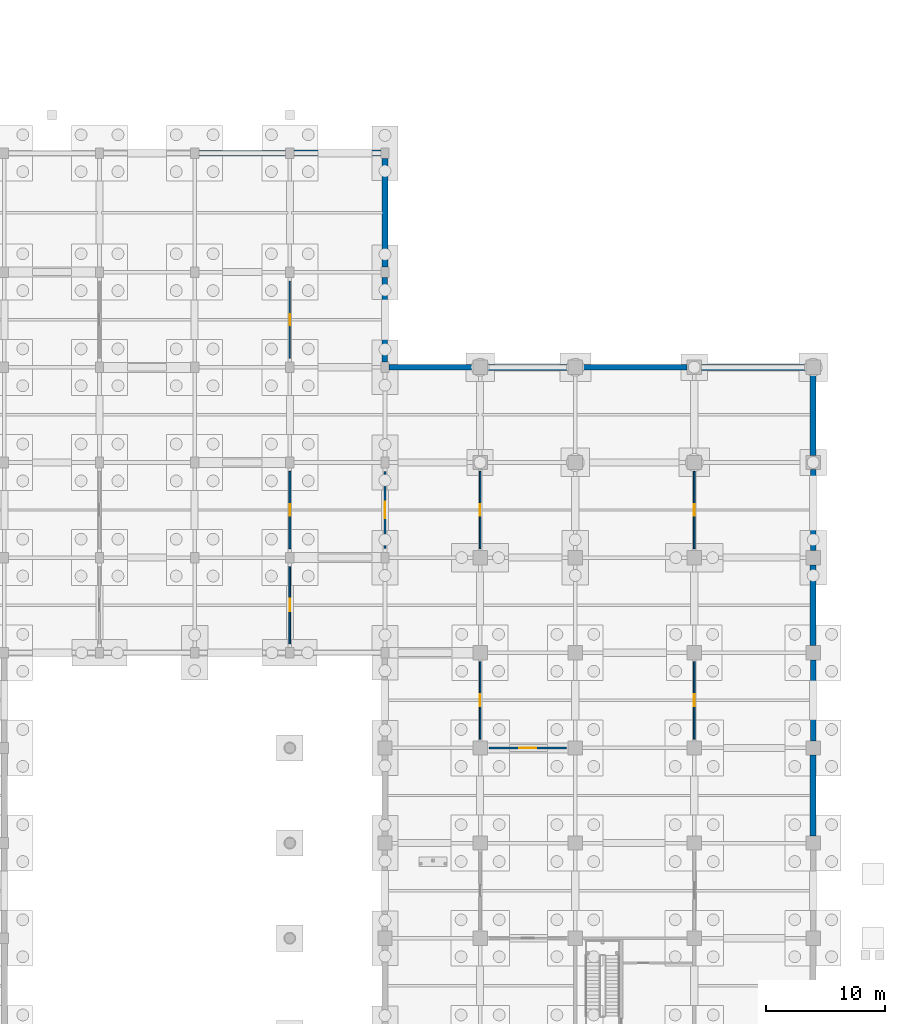
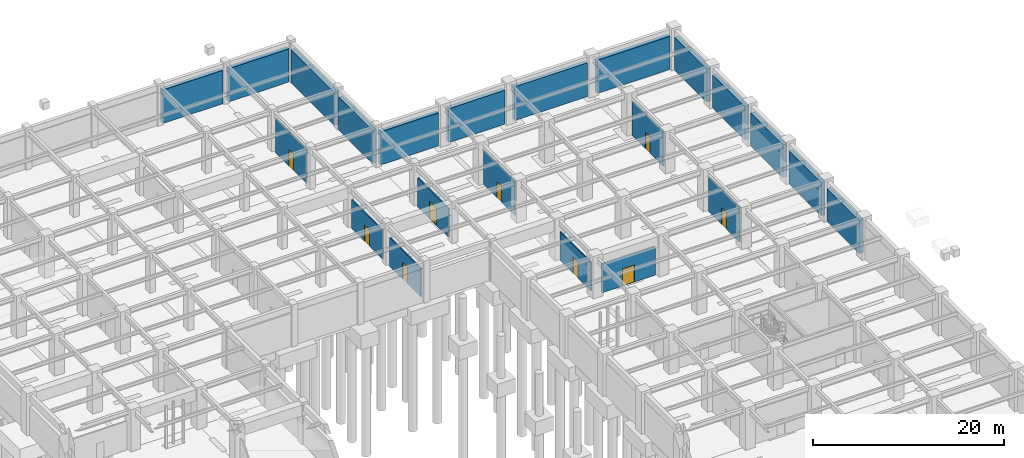
# One storey, part 84 of 97: 22 walls, 9 doors, 9 openings.
"""IFC4 building model written with IfcOpenShell, lengths in metres."""

from ifc_helpers import new_model, si_unit, direction, frame, frame_2d, origin, place, context, subcontext, project, spatial, rectangle, extrude, material, layer, layer_set, type_object, element, fill, save


model = new_model("IFC4")

# Units and contexts
model_context = context("Model", 3, precision=1e-05, world=origin(), true_north=direction((0.0, 1.0)))
body_context = subcontext(model_context, "Body", "Model", "MODEL_VIEW")
ifc_project = project(units=[si_unit("LENGTHUNIT", "METRE"), si_unit("AREAUNIT", "SQUARE_METRE"), si_unit("VOLUMEUNIT", "CUBIC_METRE"), si_unit("PLANEANGLEUNIT", "RADIAN"), si_unit("MASSUNIT", "GRAM", prefix="KILO")], contexts=[model_context])

# Site, building, storey
site_placement = place(None, origin())
site = spatial("IfcSite", under=ifc_project, at=site_placement, CompositionType="ELEMENT")
building_placement = place(site_placement, origin())
building = spatial("IfcBuilding", under=site, at=building_placement, Name="Haebicheon Civic Stadium", CompositionType="ELEMENT")
storey_placement = place(building_placement, frame((0.0, 0.0, -5.39990234375)))
storey = spatial("IfcBuildingStorey", under=building, at=storey_placement, Name="B1", CompositionType="ELEMENT", Elevation=-5.39990234375)

# Walls
ifc_material_1 = material(Name="Concrete C40/50", Category="concrete")
ifc_layer_1 = layer(ifc_material_1, 0.4599609375, Name="Concrete C40/50")
ifc_layer_set_1 = layer_set([ifc_layer_1], Name="Concrete C40/50")
wall_type_1 = type_object("IfcWallType", Name="EW-RET-460", PredefinedType="STANDARD", material=ifc_layer_set_1)
wall_1_placement = place(storey_placement, frame((184.35009765625, 178.0, 0.0), z_axis=(0.0, 0.0, 1.0), x_axis=(1.0, 0.0, 0.0)))
element("IfcWall", 1, at=wall_1_placement, inside=storey, type_object=wall_type_1, material=ifc_layer_set_1, Name="B1 retaining wall 23-22-N", PredefinedType="STANDARD", context=body_context, shape_type="SweptSolid", body=[
    extrude(rectangle(XDim=7.2998046875, YDim=0.4599609375, at=frame_2d((3.64990234375, 0.0))), origin(), (0.0, 0.0, 1.0), 4.289794921875),
])
wall_2_placement = place(storey_placement, frame((200.0, 160.449951171875, 0.0), z_axis=(0.0, 0.0, 1.0), x_axis=(0.0, 1.0, 0.0)))
element("IfcWall", 2, at=wall_2_placement, inside=storey, type_object=wall_type_1, material=ifc_layer_set_1, Name="B1 retaining wall 25-20-E", PredefinedType="STANDARD", context=body_context, shape_type="SweptSolid", body=[
    extrude(rectangle(XDim=7.10009765625, YDim=0.4599609375, at=frame_2d((3.550048828125, 0.0))), origin(), (0.0, 0.0, 1.0), 4.239990234375),
])
wall_3_placement = place(storey_placement, frame((200.35009765625, 160.0, 0.0), z_axis=(0.0, 0.0, 1.0), x_axis=(1.0, 0.0, 0.0)))
element("IfcWall", 3, at=wall_3_placement, inside=storey, type_object=wall_type_1, material=ifc_layer_set_1, Name="B1 retaining wall 25-20-N", PredefinedType="STANDARD", context=body_context, shape_type="SweptSolid", body=[
    extrude(rectangle(XDim=7.0498046875, YDim=0.4599609375, at=frame_2d((3.52490234375, 0.0))), origin(), (0.0, 0.0, 1.0), 4.239990234375),
])
wall_4_placement = place(storey_placement, frame((216.60009765625, 160.0, 0.0), z_axis=(0.0, 0.0, 1.0), x_axis=(1.0, 0.0, 0.0)))
element("IfcWall", 4, at=wall_4_placement, inside=storey, type_object=wall_type_1, material=ifc_layer_set_1, Name="B1 retaining wall 27-20-N", PredefinedType="STANDARD", context=body_context, shape_type="SweptSolid", body=[
    extrude(rectangle(XDim=8.7998046875, YDim=0.4599609375, at=frame_2d((4.39990234375, 0.0))), origin(), (0.0, 0.0, 1.0), 4.33984375),
])
for number, where, z_axis, x_axis, name in (
    (5, (236.0, 128.60009765625, 0.0), (0.0, 0.0, 1.0), (0.0, 1.0, 0.0), "B1 retaining wall 29-16-E"),
    (6, (236.0, 144.60009765625, 0.0), (0.0, 0.0, 1.0), (0.0, 1.0, 0.0), "B1 retaining wall 29-18-E"),
):
    element("IfcWall", number, at=place(storey_placement, frame(where, z_axis=z_axis, x_axis=x_axis)), inside=storey, type_object=wall_type_1, material=ifc_layer_set_1, Name=name, PredefinedType="STANDARD", context=body_context, shape_type="SweptSolid", body=[
        extrude(rectangle(XDim=6.7998046875, YDim=0.4599609375, at=frame_2d((3.39990234375, 0.0))), origin(), (0.0, 0.0, 1.0), 4.239990234375),
    ])
ifc_material_2 = material(Name="Concrete C40/50", Category="concrete")
ifc_layer_2 = layer(ifc_material_2, 0.5, Name="Concrete C40/50")
ifc_layer_set_2 = layer_set([ifc_layer_2], Name="Concrete C40/50")
wall_type_2 = type_object("IfcWallType", Name="EW-RET-500", PredefinedType="STANDARD", material=ifc_layer_set_2)
wall_5_placement = place(storey_placement, frame((192.35009765625, 178.0, 0.0), z_axis=(0.0, 0.0, 1.0), x_axis=(1.0, 0.0, 0.0)))
element("IfcWall", 7, at=wall_5_placement, inside=storey, type_object=wall_type_2, material=ifc_layer_set_2, Name="B1 retaining wall 24-22-N", PredefinedType="STANDARD", context=body_context, shape_type="SweptSolid", body=[
    extrude(rectangle(XDim=7.2998046875, YDim=0.5, at=frame_2d((3.64990234375, 0.0))), origin(), (0.0, 0.0, 1.0), 4.239990234375),
])
wall_6_placement = place(storey_placement, frame((200.0, 168.449951171875, 0.0), z_axis=(0.0, 0.0, 1.0), x_axis=(0.0, 1.0, 0.0)))
element("IfcWall", 8, at=wall_6_placement, inside=storey, type_object=wall_type_2, material=ifc_layer_set_2, Name="B1 retaining wall 25-21-E", PredefinedType="STANDARD", context=body_context, shape_type="SweptSolid", body=[
    extrude(rectangle(XDim=9.10009765625, YDim=0.5, at=frame_2d((4.550048828125, 0.0))), origin(), (0.0, 0.0, 1.0), 4.239990234375),
])
wall_7_placement = place(storey_placement, frame((208.60009765625, 160.0, 0.0), z_axis=(0.0, 0.0, 1.0), x_axis=(1.0, 0.0, 0.0)))
element("IfcWall", 9, at=wall_7_placement, inside=storey, type_object=wall_type_2, material=ifc_layer_set_2, Name="B1 retaining wall 26-20-N", PredefinedType="STANDARD", context=body_context, shape_type="SweptSolid", body=[
    extrude(rectangle(XDim=6.7998046875, YDim=0.5, at=frame_2d((3.39990234375, 0.0))), origin(), (0.0, 0.0, 1.0), 4.33984375),
])
for number, where, z_axis, x_axis, name in (
    (10, (236.0, 120.60009765625, 0.0), (0.0, 0.0, 1.0), (0.0, 1.0, 0.0), "B1 retaining wall 29-15-E"),
    (11, (236.0, 136.60009765625, 0.0), (0.0, 0.0, 1.0), (0.0, 1.0, 0.0), "B1 retaining wall 29-17-E"),
):
    element("IfcWall", number, at=place(storey_placement, frame(where, z_axis=z_axis, x_axis=x_axis)), inside=storey, type_object=wall_type_2, material=ifc_layer_set_2, Name=name, PredefinedType="STANDARD", context=body_context, shape_type="SweptSolid", body=[
        extrude(rectangle(XDim=6.7998046875, YDim=0.5, at=frame_2d((3.39990234375, 0.0))), origin(), (0.0, 0.0, 1.0), 4.239990234375),
    ])
wall_8_placement = place(storey_placement, frame((226.60009765625, 160.0, 0.0), z_axis=(0.0, 0.0, 1.0), x_axis=(1.0, 0.0, 0.0)))
element("IfcWall", 12, at=wall_8_placement, inside=storey, type_object=wall_type_2, material=ifc_layer_set_2, Name="B1 retaining wall 28-20-N", PredefinedType="STANDARD", context=body_context, shape_type="SweptSolid", body=[
    extrude(rectangle(XDim=8.7998046875, YDim=0.5, at=frame_2d((4.39990234375, 0.0))), origin(), (0.0, 0.0, 1.0), 4.239990234375),
])
wall_9_placement = place(storey_placement, frame((236.0, 152.60009765625, 0.0), z_axis=(0.0, 0.0, 1.0), x_axis=(0.0, 1.0, 0.0)))
element("IfcWall", 13, at=wall_9_placement, inside=storey, type_object=wall_type_2, material=ifc_layer_set_2, Name="B1 retaining wall 29-19-E", PredefinedType="STANDARD", context=body_context, shape_type="SweptSolid", body=[
    extrude(rectangle(XDim=6.7998046875, YDim=0.5, at=frame_2d((3.39990234375, 0.0))), origin(), (0.0, 0.0, 1.0), 4.239990234375),
])

# Wall, opening, door
ifc_material_3 = material(Name="Anodised aluminium and laminated glass", Category="aluminium")
ifc_layer_3 = layer(ifc_material_3, 0.10009765625, Name="Anodised aluminium and laminated glass")
ifc_layer_set_3 = layer_set([ifc_layer_3], Name="Anodised aluminium and laminated glass")
wall_type_3 = type_object("IfcWallType", Name="IW-PRT-100", PredefinedType="PARTITIONING", material=ifc_layer_set_3)
wall_10_placement = place(storey_placement, frame((192.0, 160.75, 0.0), z_axis=(0.0, 0.0, 1.0), x_axis=(0.0, 1.0, 0.0)))
wall_10 = element("IfcWall", 14, at=wall_10_placement, inside=storey, type_object=wall_type_3, material=ifc_layer_set_3, Name="B1 Broadcast Fibre Patch Room partition wall", PredefinedType="PARTITIONING", context=body_context, shape_type="SweptSolid", body=[
    extrude(rectangle(XDim=6.5, YDim=0.10009765625, at=frame_2d((3.25, 0.0))), origin(), (0.0, 0.0, 1.0), 4.389892578125),
])
opening_1_placement = place(wall_10_placement, frame((2.77490234375, 0.0, 0.0)))
opening_1 = element("IfcOpeningElement", 15, at=opening_1_placement, cuts=wall_10, Name="Opening D-B1-095", PredefinedType="OPENING", context=body_context, shape_type="SweptSolid", body=[
    extrude(rectangle(XDim=0.949951171875, YDim=2.10009765625, at=frame_2d((0.47509765625, 1.050048828125))), frame((0.0, 0.06005859375, 0.0), z_axis=(0.0, -1.0, 0.0), x_axis=(1.0, 0.0, 0.0)), (0.0, 0.0, 1.0), 0.1201171875),
])
ifc_material_4 = material(Name="Engineered hardwood timber", Category="wood")
door_type_1 = type_object("IfcDoorType", Name="ID-RM-0950", OperationType="NOTDEFINED", PredefinedType="DOOR", material=ifc_material_4)
door_1_placement = place(opening_1_placement, origin())
door_1 = element("IfcDoor", 16, at=door_1_placement, inside=storey, type_object=door_type_1, material=ifc_material_4, Name="B1 Broadcast Fibre Patch Room entrance door D-B1-095", OperationType="SINGLE_SWING_LEFT", OverallHeight=2.10009765625, OverallWidth=0.949951171875, PredefinedType="DOOR", context=body_context, shape_type="SweptSolid", body=[
    extrude(rectangle(XDim=0.949951171875, YDim=2.10009765625, at=frame_2d((0.47509765625, 1.050048828125))), frame((0.0, 0.02490234375, 0.0), z_axis=(0.0, -1.0, 0.0), x_axis=(1.0, 0.0, 0.0)), (0.0, 0.0, 1.0), 0.050048828125),
])
fill(opening_1, door_1)

ifc_material_5 = material(Name="Gypsum plasterboard on steel studs", Category="gypsum")
ifc_layer_4 = layer(ifc_material_5, 0.1201171875, Name="Gypsum plasterboard on steel studs")
ifc_layer_set_4 = layer_set([ifc_layer_4], Name="Gypsum plasterboard on steel studs")
wall_type_4 = type_object("IfcWallType", Name="IW-PRT-120", PredefinedType="PARTITIONING", material=ifc_layer_set_4)
wall_11_placement = place(storey_placement, frame((208.0, 128.75, 0.0), z_axis=(0.0, 0.0, 1.0), x_axis=(0.0, 1.0, 0.0)))
wall_11 = element("IfcWall", 17, at=wall_11_placement, inside=storey, type_object=wall_type_4, material=ifc_layer_set_4, Name="B1 Youth Coaching Briefing Room partition wall", PredefinedType="PARTITIONING", context=body_context, shape_type="SweptSolid", body=[
    extrude(rectangle(XDim=6.5, YDim=0.1201171875, at=frame_2d((3.25, 0.0))), origin(), (0.0, 0.0, 1.0), 3.68994140625),
])
opening_2_placement = place(wall_11_placement, frame((2.75, 0.0, 0.0)))
opening_2 = element("IfcOpeningElement", 18, at=opening_2_placement, cuts=wall_11, Name="Opening D-B1-050", PredefinedType="OPENING", context=body_context, shape_type="SweptSolid", body=[
    extrude(rectangle(XDim=1.0, YDim=2.10009765625, at=frame_2d((0.5, 1.050048828125))), frame((0.0, 0.070068359375, 0.0), z_axis=(0.0, -1.0, 0.0), x_axis=(1.0, 0.0, 0.0)), (0.0, 0.0, 1.0), 0.14013671875),
])
ifc_material_6 = material(Name="Engineered hardwood timber", Category="wood")
door_type_2 = type_object("IfcDoorType", Name="ID-RM-1000", OperationType="NOTDEFINED", PredefinedType="DOOR", material=ifc_material_6)
door_2_placement = place(opening_2_placement, origin())
door_2 = element("IfcDoor", 19, at=door_2_placement, inside=storey, type_object=door_type_2, material=ifc_material_6, Name="B1 Youth Coaching Briefing Room entrance door D-B1-050", OperationType="SINGLE_SWING_RIGHT", OverallHeight=2.10009765625, OverallWidth=1.0, PredefinedType="DOOR", context=body_context, shape_type="SweptSolid", body=[
    extrude(rectangle(XDim=1.0, YDim=2.10009765625, at=frame_2d((0.5, 1.050048828125))), frame((0.0, 0.02490234375, 0.0), z_axis=(0.0, -1.0, 0.0), x_axis=(1.0, 0.0, 0.0)), (0.0, 0.0, 1.0), 0.050048828125),
])
fill(opening_2, door_2)

ifc_material_7 = material(Name="Gypsum plasterboard on steel studs", Category="gypsum")
ifc_layer_5 = layer(ifc_material_7, 0.1298828125, Name="Gypsum plasterboard on steel studs")
ifc_layer_set_5 = layer_set([ifc_layer_5], Name="Gypsum plasterboard on steel studs")
wall_type_5 = type_object("IfcWallType", Name="IW-PRT-130", PredefinedType="PARTITIONING", material=ifc_layer_set_5)
wall_12_placement = place(storey_placement, frame((208.0, 144.75, 0.0), z_axis=(0.0, 0.0, 1.0), x_axis=(0.0, 1.0, 0.0)))
wall_12 = element("IfcWall", 20, at=wall_12_placement, inside=storey, type_object=wall_type_5, material=ifc_layer_set_5, Name="B1 Community Team Changing Room partition wall", PredefinedType="PARTITIONING", context=body_context, shape_type="SweptSolid", body=[
    extrude(rectangle(XDim=6.5, YDim=0.1298828125, at=frame_2d((3.25, 0.0))), origin(), (0.0, 0.0, 1.0), 4.389892578125),
])
opening_3_placement = place(wall_12_placement, frame((2.75, 0.0, 0.0)))
opening_3 = element("IfcOpeningElement", 21, at=opening_3_placement, cuts=wall_12, Name="Opening D-B1-060", PredefinedType="OPENING", context=body_context, shape_type="SweptSolid", body=[
    extrude(rectangle(XDim=1.0, YDim=2.10009765625, at=frame_2d((0.5, 1.050048828125))), frame((0.0, 0.074951171875, 0.0), z_axis=(0.0, -1.0, 0.0), x_axis=(1.0, 0.0, 0.0)), (0.0, 0.0, 1.0), 0.14990234375),
])
door_3_placement = place(opening_3_placement, origin())
door_3 = element("IfcDoor", 22, at=door_3_placement, inside=storey, type_object=door_type_2, material=ifc_material_6, Name="B1 Community Team Changing Room entrance door D-B1-060", OperationType="SINGLE_SWING_RIGHT", OverallHeight=2.10009765625, OverallWidth=1.0, PredefinedType="DOOR", context=body_context, shape_type="SweptSolid", body=[
    extrude(rectangle(XDim=1.0, YDim=2.10009765625, at=frame_2d((0.5, 1.050048828125))), frame((0.0, 0.02490234375, 0.0), z_axis=(0.0, -1.0, 0.0), x_axis=(1.0, 0.0, 0.0)), (0.0, 0.0, 1.0), 0.050048828125),
])
fill(opening_3, door_3)

wall_13_placement = place(storey_placement, frame((226.0, 128.75, 0.0), z_axis=(0.0, 0.0, 1.0), x_axis=(0.0, 1.0, 0.0)))
wall_13 = element("IfcWall", 23, at=wall_13_placement, inside=storey, type_object=wall_type_5, material=ifc_layer_set_5, Name="B1 Community Team Changing Room partition wall", PredefinedType="PARTITIONING", context=body_context, shape_type="SweptSolid", body=[
    extrude(rectangle(XDim=6.5, YDim=0.1298828125, at=frame_2d((3.25, 0.0))), origin(), (0.0, 0.0, 1.0), 4.389892578125),
])
opening_4_placement = place(wall_13_placement, frame((2.75, 0.0, 0.0)))
opening_4 = element("IfcOpeningElement", 24, at=opening_4_placement, cuts=wall_13, Name="Opening D-B1-068", PredefinedType="OPENING", context=body_context, shape_type="SweptSolid", body=[
    extrude(rectangle(XDim=1.0, YDim=2.10009765625, at=frame_2d((0.5, 1.050048828125))), frame((0.0, 0.074951171875, 0.0), z_axis=(0.0, -1.0, 0.0), x_axis=(1.0, 0.0, 0.0)), (0.0, 0.0, 1.0), 0.14990234375),
])
door_4_placement = place(opening_4_placement, origin())
door_4 = element("IfcDoor", 25, at=door_4_placement, inside=storey, type_object=door_type_2, material=ifc_material_6, Name="B1 Community Team Changing Room entrance door D-B1-068", OperationType="SINGLE_SWING_RIGHT", OverallHeight=2.10009765625, OverallWidth=1.0, PredefinedType="DOOR", context=body_context, shape_type="SweptSolid", body=[
    extrude(rectangle(XDim=1.0, YDim=2.10009765625, at=frame_2d((0.5, 1.050048828125))), frame((0.0, 0.02490234375, 0.0), z_axis=(0.0, -1.0, 0.0), x_axis=(1.0, 0.0, 0.0)), (0.0, 0.0, 1.0), 0.050048828125),
])
fill(opening_4, door_4)

ifc_material_8 = material(Name="Gypsum plasterboard on steel studs", Category="gypsum")
ifc_layer_6 = layer(ifc_material_8, 0.14990234375, Name="Gypsum plasterboard on steel studs")
ifc_layer_set_6 = layer_set([ifc_layer_6], Name="Gypsum plasterboard on steel studs")
wall_type_6 = type_object("IfcWallType", Name="IW-PRT-150", PredefinedType="PARTITIONING", material=ifc_layer_set_6)
wall_14_placement = place(storey_placement, frame((192.0, 136.75, 0.0), z_axis=(0.0, 0.0, 1.0), x_axis=(0.0, 1.0, 0.0)))
wall_14 = element("IfcWall", 26, at=wall_14_placement, inside=storey, type_object=wall_type_6, material=ifc_layer_set_6, Name="B1 Athlete Hydrotherapy Recovery Suite partition wall", PredefinedType="PARTITIONING", context=body_context, shape_type="SweptSolid", body=[
    extrude(rectangle(XDim=6.5, YDim=0.14990234375, at=frame_2d((3.25, 0.0))), origin(), (0.0, 0.0, 1.0), 3.68994140625),
])
opening_5_placement = place(wall_14_placement, frame((2.72509765625, 0.0, 0.0)))
opening_5 = element("IfcOpeningElement", 27, at=opening_5_placement, cuts=wall_14, Name="Opening D-B1-093", PredefinedType="OPENING", context=body_context, shape_type="SweptSolid", body=[
    extrude(rectangle(XDim=1.050048828125, YDim=2.14990234375, at=frame_2d((0.52490234375, 1.074951171875))), frame((0.0, 0.0849609375, 0.0), z_axis=(0.0, -1.0, 0.0), x_axis=(1.0, 0.0, 0.0)), (0.0, 0.0, 1.0), 0.169921875),
])
ifc_material_9 = material(Name="Engineered hardwood timber", Category="wood")
door_type_3 = type_object("IfcDoorType", Name="ID-RM-1050", OperationType="NOTDEFINED", PredefinedType="DOOR", material=ifc_material_9)
door_5_placement = place(opening_5_placement, origin())
door_5 = element("IfcDoor", 28, at=door_5_placement, inside=storey, type_object=door_type_3, material=ifc_material_9, Name="B1 Athlete Hydrotherapy Recovery Suite entrance door D-B1-093", OperationType="SINGLE_SWING_LEFT", OverallHeight=2.14990234375, OverallWidth=1.050048828125, PredefinedType="DOOR", context=body_context, shape_type="SweptSolid", body=[
    extrude(rectangle(XDim=1.050048828125, YDim=2.14990234375, at=frame_2d((0.52490234375, 1.074951171875))), frame((0.0, 0.02490234375, 0.0), z_axis=(0.0, -1.0, 0.0), x_axis=(1.0, 0.0, 0.0)), (0.0, 0.0, 1.0), 0.050048828125),
])
fill(opening_5, door_5)

ifc_material_10 = material(Name="Concrete C35/45", Category="concrete")
ifc_layer_7 = layer(ifc_material_10, 0.159912109375, Name="Concrete C35/45")
ifc_layer_set_7 = layer_set([ifc_layer_7], Name="Concrete C35/45")
wall_type_7 = type_object("IfcWallType", Name="IW-PRT-160", PredefinedType="PARTITIONING", material=ifc_layer_set_7)
wall_15_placement = place(storey_placement, frame((226.0, 144.75, 0.0), z_axis=(0.0, 0.0, 1.0), x_axis=(0.0, 1.0, 0.0)))
wall_15 = element("IfcWall", 29, at=wall_15_placement, inside=storey, type_object=wall_type_7, material=ifc_layer_set_7, Name="B1 Athletics Track Equipment Store partition wall", PredefinedType="PARTITIONING", context=body_context, shape_type="SweptSolid", body=[
    extrude(rectangle(XDim=6.5, YDim=0.159912109375, at=frame_2d((3.25, 0.0))), origin(), (0.0, 0.0, 1.0), 4.389892578125),
])
opening_6_placement = place(wall_15_placement, frame((2.77490234375, 0.0, 0.0)))
opening_6 = element("IfcOpeningElement", 30, at=opening_6_placement, cuts=wall_15, Name="Opening D-B1-069", PredefinedType="OPENING", context=body_context, shape_type="SweptSolid", body=[
    extrude(rectangle(XDim=0.949951171875, YDim=2.10009765625, at=frame_2d((0.47509765625, 1.050048828125))), frame((0.0, 0.08984375, 0.0), z_axis=(0.0, -1.0, 0.0), x_axis=(1.0, 0.0, 0.0)), (0.0, 0.0, 1.0), 0.179931640625),
])
door_6_placement = place(opening_6_placement, origin())
door_6 = element("IfcDoor", 31, at=door_6_placement, inside=storey, type_object=door_type_1, material=ifc_material_4, Name="B1 Athletics Track Equipment Store entrance door D-B1-069", OperationType="SINGLE_SWING_LEFT", OverallHeight=2.10009765625, OverallWidth=0.949951171875, PredefinedType="DOOR", context=body_context, shape_type="SweptSolid", body=[
    extrude(rectangle(XDim=0.949951171875, YDim=2.10009765625, at=frame_2d((0.47509765625, 1.050048828125))), frame((0.0, 0.02490234375, 0.0), z_axis=(0.0, -1.0, 0.0), x_axis=(1.0, 0.0, 0.0)), (0.0, 0.0, 1.0), 0.050048828125),
])
fill(opening_6, door_6)

wall_16_placement = place(storey_placement, frame((192.0, 144.75, 0.0), z_axis=(0.0, 0.0, 1.0), x_axis=(0.0, 1.0, 0.0)))
wall_16 = element("IfcWall", 32, at=wall_16_placement, inside=storey, type_object=wall_type_7, material=ifc_layer_set_7, Name="B1 Hospitality Cellar and Dry Store partition wall", PredefinedType="PARTITIONING", context=body_context, shape_type="SweptSolid", body=[
    extrude(rectangle(XDim=6.5, YDim=0.159912109375, at=frame_2d((3.25, 0.0))), origin(), (0.0, 0.0, 1.0), 3.68994140625),
])
opening_7_placement = place(wall_16_placement, frame((2.75, 0.0, 0.0)))
opening_7 = element("IfcOpeningElement", 33, at=opening_7_placement, cuts=wall_16, Name="Opening D-B1-094", PredefinedType="OPENING", context=body_context, shape_type="SweptSolid", body=[
    extrude(rectangle(XDim=1.0, YDim=2.10009765625, at=frame_2d((0.5, 1.050048828125))), frame((0.0, 0.08984375, 0.0), z_axis=(0.0, -1.0, 0.0), x_axis=(1.0, 0.0, 0.0)), (0.0, 0.0, 1.0), 0.179931640625),
])
door_7_placement = place(opening_7_placement, origin())
door_7 = element("IfcDoor", 34, at=door_7_placement, inside=storey, type_object=door_type_2, material=ifc_material_6, Name="B1 Hospitality Cellar and Dry Store entrance door D-B1-094", OperationType="SINGLE_SWING_RIGHT", OverallHeight=2.10009765625, OverallWidth=1.0, PredefinedType="DOOR", context=body_context, shape_type="SweptSolid", body=[
    extrude(rectangle(XDim=1.0, YDim=2.10009765625, at=frame_2d((0.5, 1.050048828125))), frame((0.0, 0.02490234375, 0.0), z_axis=(0.0, -1.0, 0.0), x_axis=(1.0, 0.0, 0.0)), (0.0, 0.0, 1.0), 0.050048828125),
])
fill(opening_7, door_7)

ifc_material_11 = material(Name="Concrete C35/45", Category="concrete")
ifc_layer_8 = layer(ifc_material_11, 0.179931640625, Name="Concrete C35/45")
ifc_layer_set_8 = layer_set([ifc_layer_8], Name="Concrete C35/45")
wall_type_8 = type_object("IfcWallType", Name="IW-PRT-180", PredefinedType="PARTITIONING", material=ifc_layer_set_8)
wall_17_placement = place(storey_placement, frame((200.0, 144.75, 0.0), z_axis=(0.0, 0.0, 1.0), x_axis=(0.0, 1.0, 0.0)))
wall_17 = element("IfcWall", 35, at=wall_17_placement, inside=storey, type_object=wall_type_8, material=ifc_layer_set_8, Name="B1 District Heating Exchange Plant partition wall", PredefinedType="PARTITIONING", context=body_context, shape_type="SweptSolid", body=[
    extrude(rectangle(XDim=6.5, YDim=0.179931640625, at=frame_2d((3.25, 0.0))), origin(), (0.0, 0.0, 1.0), 3.68994140625),
])
opening_8_placement = place(wall_17_placement, frame((2.550048828125, 0.0, 0.0)))
opening_8 = element("IfcOpeningElement", 36, at=opening_8_placement, cuts=wall_17, Name="Opening D-B1-051", PredefinedType="OPENING", context=body_context, shape_type="SweptSolid", body=[
    extrude(rectangle(XDim=1.39990234375, YDim=2.199951171875, at=frame_2d((0.699951171875, 1.10009765625))), frame((0.0, 0.099853515625, 0.0), z_axis=(0.0, -1.0, 0.0), x_axis=(1.0, 0.0, 0.0)), (0.0, 0.0, 1.0), 0.199951171875),
])
ifc_material_12 = material(Name="Galvanised painted steel SM355", Category="steel")
door_type_4 = type_object("IfcDoorType", Name="ID-PLT-1400", OperationType="NOTDEFINED", PredefinedType="DOOR", material=ifc_material_12)
door_8_placement = place(opening_8_placement, origin())
door_8 = element("IfcDoor", 37, at=door_8_placement, inside=storey, type_object=door_type_4, material=ifc_material_12, Name="B1 District Heating Exchange Plant entrance door D-B1-051", OperationType="SINGLE_SWING_LEFT", OverallHeight=2.199951171875, OverallWidth=1.39990234375, PredefinedType="DOOR", context=body_context, shape_type="SweptSolid", body=[
    extrude(rectangle(XDim=1.39990234375, YDim=2.199951171875, at=frame_2d((0.699951171875, 1.10009765625))), frame((0.0, 0.02490234375, 0.0), z_axis=(0.0, -1.0, 0.0), x_axis=(1.0, 0.0, 0.0)), (0.0, 0.0, 1.0), 0.050048828125),
])
fill(opening_8, door_8)

wall_18_placement = place(storey_placement, frame((208.75, 128.0, 0.0), z_axis=(0.0, 0.0, 1.0), x_axis=(1.0, 0.0, 0.0)))
wall_18 = element("IfcWall", 38, at=wall_18_placement, inside=storey, type_object=wall_type_8, material=ifc_layer_set_8, Name="B1 District Heating Exchange Plant partition wall", PredefinedType="PARTITIONING", context=body_context, shape_type="SweptSolid", body=[
    extrude(rectangle(XDim=6.5, YDim=0.179931640625, at=frame_2d((3.25, 0.0))), origin(), (0.0, 0.0, 1.0), 3.68994140625),
])
opening_9_placement = place(wall_18_placement, frame((2.550048828125, 0.0, 0.0)))
opening_9 = element("IfcOpeningElement", 39, at=opening_9_placement, cuts=wall_18, Name="Opening D-B1-059", PredefinedType="OPENING", context=body_context, shape_type="SweptSolid", body=[
    extrude(rectangle(XDim=1.39990234375, YDim=2.199951171875, at=frame_2d((0.699951171875, 1.10009765625))), frame((0.0, 0.099853515625, 0.0), z_axis=(0.0, -1.0, 0.0), x_axis=(1.0, 0.0, 0.0)), (0.0, 0.0, 1.0), 0.199951171875),
])
door_9_placement = place(opening_9_placement, origin())
door_9 = element("IfcDoor", 40, at=door_9_placement, inside=storey, type_object=door_type_4, material=ifc_material_12, Name="B1 District Heating Exchange Plant entrance door D-B1-059", OperationType="SINGLE_SWING_LEFT", OverallHeight=2.199951171875, OverallWidth=1.39990234375, PredefinedType="DOOR", context=body_context, shape_type="SweptSolid", body=[
    extrude(rectangle(XDim=1.39990234375, YDim=2.199951171875, at=frame_2d((0.699951171875, 1.10009765625))), frame((0.0, 0.02490234375, 0.0), z_axis=(0.0, -1.0, 0.0), x_axis=(1.0, 0.0, 0.0)), (0.0, 0.0, 1.0), 0.050048828125),
])
fill(opening_9, door_9)

save(model, "model.ifc")
